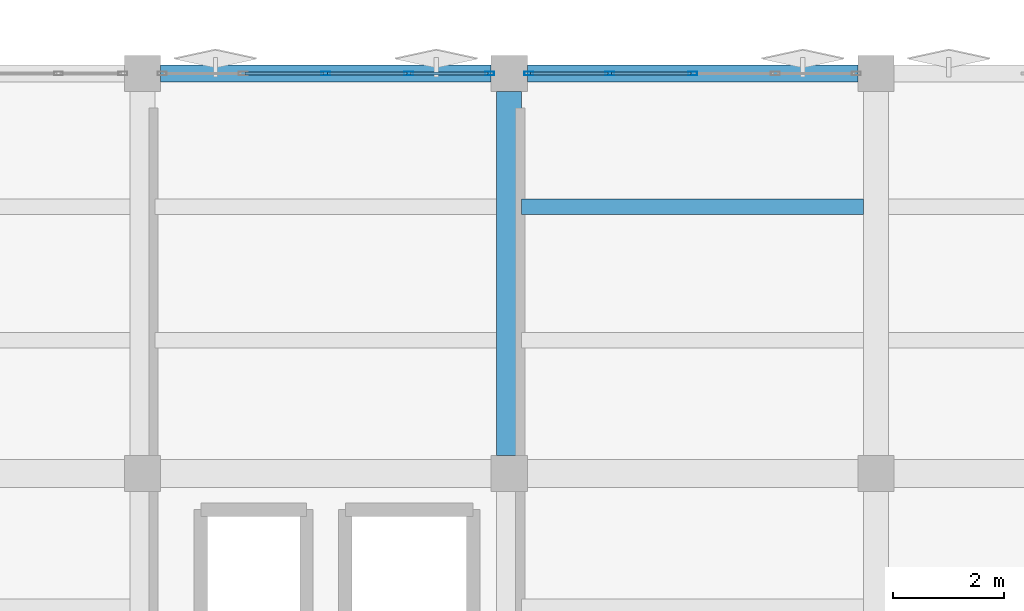
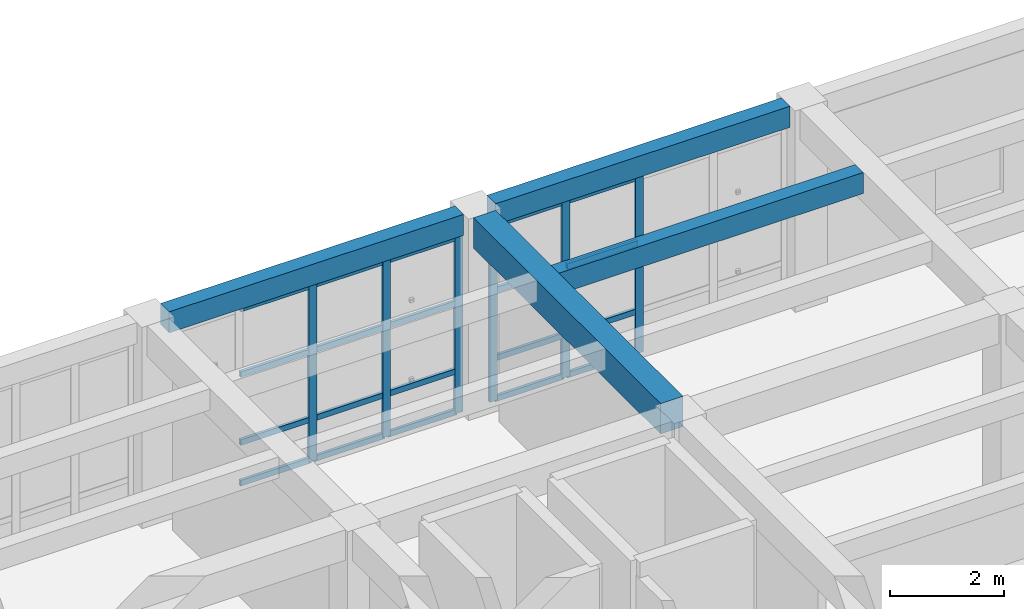
# One storey, part 38 of 67: 26 members, 4 beams, 2 elements without a shape of their own.
"""IFC4 building model written with IfcOpenShell, lengths in metres."""

from ifc_helpers import new_model, si_unit, direction, frame, origin, origin_2d, place, context, subcontext, project, spatial, rectangle, hollow_rectangle, extrude, material, layer, layer_set, material_profile, profile_set, type_object, element, aggregate, save


model = new_model("IFC4")

# Units and contexts
model_context = context("Model", 3, precision=1e-05, world=origin(), true_north=direction((0.0, 1.0)))
body_context = subcontext(model_context, "Body", "Model", "MODEL_VIEW")
ifc_project = project(units=[si_unit("LENGTHUNIT", "METRE"), si_unit("AREAUNIT", "SQUARE_METRE"), si_unit("VOLUMEUNIT", "CUBIC_METRE"), si_unit("PLANEANGLEUNIT", "RADIAN"), si_unit("MASSUNIT", "GRAM", prefix="KILO")], contexts=[model_context])

# Site, building, storey
site_placement = place(None, origin())
site = spatial("IfcSite", under=ifc_project, at=site_placement, CompositionType="ELEMENT")
building_placement = place(site_placement, origin())
building = spatial("IfcBuilding", under=site, at=building_placement, Name="Kharisveld Research Institute", CompositionType="ELEMENT")
storey_placement = place(building_placement, frame((0.0, 0.0, 9.60009765625)))
storey = spatial("IfcBuildingStorey", under=building, at=storey_placement, Name="L02", CompositionType="ELEMENT", Elevation=9.60009765625)

# Beam
ifc_material_1 = material(Name="Concrete C40/50", Category="concrete")
ifc_material_profile_1 = material_profile(ifc_material_1, rectangle(XDim=0.449951171875, YDim=0.64990234375, at=origin_2d()))
ifc_profile_set_1 = profile_set([ifc_material_profile_1], Name="Concrete C40/50")
beam_type_1 = type_object("IfcBeamType", Name="BM_RC_450x650", PredefinedType="BEAM", material=ifc_profile_set_1)
beam_1_placement = place(storey_placement, frame((141.0, 53.925048828125, 3.974853515625), z_axis=(0.0, 1.0, 0.0), x_axis=(-1.0, 0.0, 0.0)))
element("IfcBeam", 1, at=beam_1_placement, inside=storey, type_object=beam_type_1, Name="BM:V2:L02:V4_2", PredefinedType="BEAM", context=body_context, shape_type="SweptSolid", body=[
    extrude(rectangle(XDim=0.449951171875, YDim=0.64990234375, at=origin_2d()), origin(), (0.0, 0.0, 1.0), 6.550048828125),
])

# Curtain wall, members
ifc_material_2 = material(Name="Thermally Broken Aluminium Curtain Wall", Category="aluminium")
ifc_layer_1 = layer(ifc_material_2, 0.159912109375)
ifc_layer_set_1 = layer_set([ifc_layer_1], Name="CW_SYS_02")
curtain_wall_type_1 = type_object("IfcCurtainWallType", Name="CW_SYS_02", PredefinedType="NOTDEFINED", material=ifc_layer_set_1)
curtain_wall_1_placement = place(storey_placement, origin())
curtain_wall_1 = element("IfcCurtainWall", 2, at=curtain_wall_1_placement, inside=storey, type_object=curtain_wall_type_1, Name="CW:V2:L02:N3", PredefinedType="NOTDEFINED")
ifc_material_3 = material(Name="Anodised Aluminium AW-6063-T6", Category="aluminium")
ifc_material_profile_2 = material_profile(ifc_material_3, hollow_rectangle(XDim=0.06494140625, YDim=0.159912109375, WallThickness=0.00390625, at=origin_2d()))
ifc_profile_set_2 = profile_set([ifc_material_profile_2], Name="Anodised Aluminium AW-6063-T6")
member_type_1 = type_object("IfcMemberType", Name="CW_MUL_160", PredefinedType="MULLION", material=ifc_profile_set_2)
member_1_placement = place(storey_placement, frame((137.699951171875, 60.800048828125, 0.0), z_axis=(0.0, 0.0, 1.0), x_axis=(0.0, 1.0, 0.0)))
member_1 = element("IfcMember", 3, at=member_1_placement, type_object=member_type_1, Name="CW-02 mullion 3", PredefinedType="MULLION", context=body_context, shape_type="SweptSolid", body=[
    extrude(hollow_rectangle(XDim=0.06494140625, YDim=0.159912109375, WallThickness=0.00390625, at=origin_2d()), origin(), (0.0, 0.0, 1.0), 3.77978515625),
])
member_2_placement = place(storey_placement, frame((139.18994140625, 60.800048828125, 0.0), z_axis=(0.0, 0.0, 1.0), x_axis=(0.0, 1.0, 0.0)))
member_2 = element("IfcMember", 4, at=member_2_placement, type_object=member_type_1, Name="CW-02 mullion 4", PredefinedType="MULLION", context=body_context, shape_type="SweptSolid", body=[
    extrude(hollow_rectangle(XDim=0.06494140625, YDim=0.159912109375, WallThickness=0.00390625, at=origin_2d()), origin(), (0.0, 0.0, 1.0), 3.77978515625),
])
member_3_placement = place(storey_placement, frame((140.6474609375, 60.800048828125, 0.0), z_axis=(0.0, 0.0, 1.0), x_axis=(0.0, 1.0, 0.0)))
member_3 = element("IfcMember", 5, at=member_3_placement, type_object=member_type_1, Name="CW-02 mullion 5", PredefinedType="MULLION", context=body_context, shape_type="SweptSolid", body=[
    extrude(hollow_rectangle(XDim=0.06494140625, YDim=0.159912109375, WallThickness=0.00390625, at=origin_2d()), origin(), (0.0, 0.0, 1.0), 3.77978515625),
])

ifc_material_4 = material(Name="Thermally Broken Aluminium Curtain Wall", Category="aluminium")
ifc_layer_2 = layer(ifc_material_4, 0.159912109375)
ifc_layer_set_2 = layer_set([ifc_layer_2], Name="CW_SYS_03")
curtain_wall_type_2 = type_object("IfcCurtainWallType", Name="CW_SYS_03", PredefinedType="NOTDEFINED", material=ifc_layer_set_2)
curtain_wall_2_placement = place(storey_placement, origin())
curtain_wall_2 = element("IfcCurtainWall", 6, at=curtain_wall_2_placement, inside=storey, type_object=curtain_wall_type_2, Name="CW:V2:L02:N4", PredefinedType="NOTDEFINED")
member_4_placement = place(storey_placement, frame((141.3525390625, 60.800048828125, 0.0), z_axis=(0.0, 0.0, 1.0), x_axis=(0.0, 1.0, 0.0)))
member_4 = element("IfcMember", 7, at=member_4_placement, type_object=member_type_1, Name="CW-03 mullion 1", PredefinedType="MULLION", context=body_context, shape_type="SweptSolid", body=[
    extrude(hollow_rectangle(XDim=0.06494140625, YDim=0.159912109375, WallThickness=0.00390625, at=origin_2d()), origin(), (0.0, 0.0, 1.0), 3.77978515625),
])
member_5_placement = place(storey_placement, frame((142.81005859375, 60.800048828125, 0.0), z_axis=(0.0, 0.0, 1.0), x_axis=(0.0, 1.0, 0.0)))
member_5 = element("IfcMember", 8, at=member_5_placement, type_object=member_type_1, Name="CW-03 mullion 2", PredefinedType="MULLION", context=body_context, shape_type="SweptSolid", body=[
    extrude(hollow_rectangle(XDim=0.06494140625, YDim=0.159912109375, WallThickness=0.00390625, at=origin_2d()), origin(), (0.0, 0.0, 1.0), 3.77978515625),
])
member_6_placement = place(storey_placement, frame((144.300048828125, 60.800048828125, 0.0), z_axis=(0.0, 0.0, 1.0), x_axis=(0.0, 1.0, 0.0)))
member_6 = element("IfcMember", 9, at=member_6_placement, type_object=member_type_1, Name="CW-03 mullion 3", PredefinedType="MULLION", context=body_context, shape_type="SweptSolid", body=[
    extrude(hollow_rectangle(XDim=0.06494140625, YDim=0.159912109375, WallThickness=0.00390625, at=origin_2d()), origin(), (0.0, 0.0, 1.0), 3.77978515625),
])

# Member
ifc_material_5 = material(Name="Anodised Aluminium AW-6063-T6", Category="aluminium")
ifc_material_profile_3 = material_profile(ifc_material_5, hollow_rectangle(XDim=0.06005859375, YDim=0.1201171875, WallThickness=0.00390625, at=origin_2d()))
ifc_profile_set_3 = profile_set([ifc_material_profile_3], Name="Anodised Aluminium AW-6063-T6")
member_type_2 = type_object("IfcMemberType", Name="CW_TRN_120", PredefinedType="USERDEFINED", material=ifc_profile_set_3)
member_7_placement = place(storey_placement, frame((136.242431640625, 60.800048828125, 0.02978515625), z_axis=(1.0, 0.0, 0.0), x_axis=(0.0, 1.0, 0.0)))
member_7 = element("IfcMember", 10, at=member_7_placement, type_object=member_type_2, Name="CW-02 transom 2.1", ObjectType="TRANSOM", PredefinedType="USERDEFINED", context=body_context, shape_type="SweptSolid", body=[
    extrude(hollow_rectangle(XDim=0.06005859375, YDim=0.1201171875, WallThickness=0.00390625, at=origin_2d()), origin(), (0.0, 0.0, 1.0), 1.425048828125),
])

member_8_placement = place(storey_placement, frame((136.242431640625, 60.800048828125, 0.89990234375), z_axis=(1.0, 0.0, 0.0), x_axis=(0.0, 1.0, 0.0)))
member_8 = element("IfcMember", 11, at=member_8_placement, type_object=member_type_2, Name="CW-02 transom 2.2", ObjectType="TRANSOM", PredefinedType="USERDEFINED", context=body_context, shape_type="SweptSolid", body=[
    extrude(hollow_rectangle(XDim=0.06005859375, YDim=0.1201171875, WallThickness=0.00390625, at=origin_2d()), origin(), (0.0, 0.0, 1.0), 1.425048828125),
])

member_9_placement = place(storey_placement, frame((136.242431640625, 60.800048828125, 2.349853515625), z_axis=(1.0, 0.0, 0.0), x_axis=(0.0, 1.0, 0.0)))
member_9 = element("IfcMember", 12, at=member_9_placement, type_object=member_type_2, Name="CW-02 transom 2.3", ObjectType="TRANSOM", PredefinedType="USERDEFINED", context=body_context, shape_type="SweptSolid", body=[
    extrude(hollow_rectangle(XDim=0.06005859375, YDim=0.1201171875, WallThickness=0.00390625, at=origin_2d()), origin(), (0.0, 0.0, 1.0), 1.425048828125),
])

member_10_placement = place(storey_placement, frame((136.242431640625, 60.800048828125, 3.75), z_axis=(1.0, 0.0, 0.0), x_axis=(0.0, 1.0, 0.0)))
member_10 = element("IfcMember", 13, at=member_10_placement, type_object=member_type_2, Name="CW-02 transom 2.4", ObjectType="TRANSOM", PredefinedType="USERDEFINED", context=body_context, shape_type="SweptSolid", body=[
    extrude(hollow_rectangle(XDim=0.06005859375, YDim=0.1201171875, WallThickness=0.00390625, at=origin_2d()), origin(), (0.0, 0.0, 1.0), 1.425048828125),
])

member_11_placement = place(storey_placement, frame((137.732421875, 60.800048828125, 0.02978515625), z_axis=(1.0, 0.0, 0.0), x_axis=(0.0, 1.0, 0.0)))
member_11 = element("IfcMember", 14, at=member_11_placement, type_object=member_type_2, Name="CW-02 transom 3.1", ObjectType="TRANSOM", PredefinedType="USERDEFINED", context=body_context, shape_type="SweptSolid", body=[
    extrude(hollow_rectangle(XDim=0.06005859375, YDim=0.1201171875, WallThickness=0.00390625, at=origin_2d()), origin(), (0.0, 0.0, 1.0), 1.425048828125),
])

member_12_placement = place(storey_placement, frame((137.732421875, 60.800048828125, 0.89990234375), z_axis=(1.0, 0.0, 0.0), x_axis=(0.0, 1.0, 0.0)))
member_12 = element("IfcMember", 15, at=member_12_placement, type_object=member_type_2, Name="CW-02 transom 3.2", ObjectType="TRANSOM", PredefinedType="USERDEFINED", context=body_context, shape_type="SweptSolid", body=[
    extrude(hollow_rectangle(XDim=0.06005859375, YDim=0.1201171875, WallThickness=0.00390625, at=origin_2d()), origin(), (0.0, 0.0, 1.0), 1.425048828125),
])

member_13_placement = place(storey_placement, frame((137.732421875, 60.800048828125, 2.349853515625), z_axis=(1.0, 0.0, 0.0), x_axis=(0.0, 1.0, 0.0)))
member_13 = element("IfcMember", 16, at=member_13_placement, type_object=member_type_2, Name="CW-02 transom 3.3", ObjectType="TRANSOM", PredefinedType="USERDEFINED", context=body_context, shape_type="SweptSolid", body=[
    extrude(hollow_rectangle(XDim=0.06005859375, YDim=0.1201171875, WallThickness=0.00390625, at=origin_2d()), origin(), (0.0, 0.0, 1.0), 1.425048828125),
])

member_14_placement = place(storey_placement, frame((137.732421875, 60.800048828125, 3.75), z_axis=(1.0, 0.0, 0.0), x_axis=(0.0, 1.0, 0.0)))
member_14 = element("IfcMember", 17, at=member_14_placement, type_object=member_type_2, Name="CW-02 transom 3.4", ObjectType="TRANSOM", PredefinedType="USERDEFINED", context=body_context, shape_type="SweptSolid", body=[
    extrude(hollow_rectangle(XDim=0.06005859375, YDim=0.1201171875, WallThickness=0.00390625, at=origin_2d()), origin(), (0.0, 0.0, 1.0), 1.425048828125),
])

member_15_placement = place(storey_placement, frame((139.222412109375, 60.800048828125, 0.02978515625), z_axis=(1.0, 0.0, 0.0), x_axis=(0.0, 1.0, 0.0)))
member_15 = element("IfcMember", 18, at=member_15_placement, type_object=member_type_2, Name="CW-02 transom 4.1", ObjectType="TRANSOM", PredefinedType="USERDEFINED", context=body_context, shape_type="SweptSolid", body=[
    extrude(hollow_rectangle(XDim=0.06005859375, YDim=0.1201171875, WallThickness=0.00390625, at=origin_2d()), origin(), (0.0, 0.0, 1.0), 1.392578125),
])

member_16_placement = place(storey_placement, frame((139.222412109375, 60.800048828125, 0.89990234375), z_axis=(1.0, 0.0, 0.0), x_axis=(0.0, 1.0, 0.0)))
member_16 = element("IfcMember", 19, at=member_16_placement, type_object=member_type_2, Name="CW-02 transom 4.2", ObjectType="TRANSOM", PredefinedType="USERDEFINED", context=body_context, shape_type="SweptSolid", body=[
    extrude(hollow_rectangle(XDim=0.06005859375, YDim=0.1201171875, WallThickness=0.00390625, at=origin_2d()), origin(), (0.0, 0.0, 1.0), 1.392578125),
])

member_17_placement = place(storey_placement, frame((139.222412109375, 60.800048828125, 2.349853515625), z_axis=(1.0, 0.0, 0.0), x_axis=(0.0, 1.0, 0.0)))
member_17 = element("IfcMember", 20, at=member_17_placement, type_object=member_type_2, Name="CW-02 transom 4.3", ObjectType="TRANSOM", PredefinedType="USERDEFINED", context=body_context, shape_type="SweptSolid", body=[
    extrude(hollow_rectangle(XDim=0.06005859375, YDim=0.1201171875, WallThickness=0.00390625, at=origin_2d()), origin(), (0.0, 0.0, 1.0), 1.392578125),
])

member_18_placement = place(storey_placement, frame((139.222412109375, 60.800048828125, 3.75), z_axis=(1.0, 0.0, 0.0), x_axis=(0.0, 1.0, 0.0)))
member_18 = element("IfcMember", 21, at=member_18_placement, type_object=member_type_2, Name="CW-02 transom 4.4", ObjectType="TRANSOM", PredefinedType="USERDEFINED", context=body_context, shape_type="SweptSolid", body=[
    extrude(hollow_rectangle(XDim=0.06005859375, YDim=0.1201171875, WallThickness=0.00390625, at=origin_2d()), origin(), (0.0, 0.0, 1.0), 1.392578125),
])

aggregate(curtain_wall_1, [member_1, member_2, member_3, member_7, member_8, member_9, member_10, member_11, member_12, member_13, member_14, member_15, member_16, member_17, member_18])

member_19_placement = place(storey_placement, frame((141.385009765625, 60.800048828125, 0.02978515625), z_axis=(1.0, 0.0, 0.0), x_axis=(0.0, 1.0, 0.0)))
member_19 = element("IfcMember", 22, at=member_19_placement, type_object=member_type_2, Name="CW-03 transom 1.1", ObjectType="TRANSOM", PredefinedType="USERDEFINED", context=body_context, shape_type="SweptSolid", body=[
    extrude(hollow_rectangle(XDim=0.06005859375, YDim=0.1201171875, WallThickness=0.00390625, at=origin_2d()), origin(), (0.0, 0.0, 1.0), 1.392578125),
])

member_20_placement = place(storey_placement, frame((141.385009765625, 60.800048828125, 0.89990234375), z_axis=(1.0, 0.0, 0.0), x_axis=(0.0, 1.0, 0.0)))
member_20 = element("IfcMember", 23, at=member_20_placement, type_object=member_type_2, Name="CW-03 transom 1.2", ObjectType="TRANSOM", PredefinedType="USERDEFINED", context=body_context, shape_type="SweptSolid", body=[
    extrude(hollow_rectangle(XDim=0.06005859375, YDim=0.1201171875, WallThickness=0.00390625, at=origin_2d()), origin(), (0.0, 0.0, 1.0), 1.392578125),
])

member_21_placement = place(storey_placement, frame((141.385009765625, 60.800048828125, 2.349853515625), z_axis=(1.0, 0.0, 0.0), x_axis=(0.0, 1.0, 0.0)))
member_21 = element("IfcMember", 24, at=member_21_placement, type_object=member_type_2, Name="CW-03 transom 1.3", ObjectType="TRANSOM", PredefinedType="USERDEFINED", context=body_context, shape_type="SweptSolid", body=[
    extrude(hollow_rectangle(XDim=0.06005859375, YDim=0.1201171875, WallThickness=0.00390625, at=origin_2d()), origin(), (0.0, 0.0, 1.0), 1.392578125),
])

member_22_placement = place(storey_placement, frame((141.385009765625, 60.800048828125, 3.75), z_axis=(1.0, 0.0, 0.0), x_axis=(0.0, 1.0, 0.0)))
member_22 = element("IfcMember", 25, at=member_22_placement, type_object=member_type_2, Name="CW-03 transom 1.4", ObjectType="TRANSOM", PredefinedType="USERDEFINED", context=body_context, shape_type="SweptSolid", body=[
    extrude(hollow_rectangle(XDim=0.06005859375, YDim=0.1201171875, WallThickness=0.00390625, at=origin_2d()), origin(), (0.0, 0.0, 1.0), 1.392578125),
])

member_23_placement = place(storey_placement, frame((142.842529296875, 60.800048828125, 0.02978515625), z_axis=(1.0, 0.0, 0.0), x_axis=(0.0, 1.0, 0.0)))
member_23 = element("IfcMember", 26, at=member_23_placement, type_object=member_type_2, Name="CW-03 transom 2.1", ObjectType="TRANSOM", PredefinedType="USERDEFINED", context=body_context, shape_type="SweptSolid", body=[
    extrude(hollow_rectangle(XDim=0.06005859375, YDim=0.1201171875, WallThickness=0.00390625, at=origin_2d()), origin(), (0.0, 0.0, 1.0), 1.425048828125),
])

member_24_placement = place(storey_placement, frame((142.842529296875, 60.800048828125, 0.89990234375), z_axis=(1.0, 0.0, 0.0), x_axis=(0.0, 1.0, 0.0)))
member_24 = element("IfcMember", 27, at=member_24_placement, type_object=member_type_2, Name="CW-03 transom 2.2", ObjectType="TRANSOM", PredefinedType="USERDEFINED", context=body_context, shape_type="SweptSolid", body=[
    extrude(hollow_rectangle(XDim=0.06005859375, YDim=0.1201171875, WallThickness=0.00390625, at=origin_2d()), origin(), (0.0, 0.0, 1.0), 1.425048828125),
])

member_25_placement = place(storey_placement, frame((142.842529296875, 60.800048828125, 2.349853515625), z_axis=(1.0, 0.0, 0.0), x_axis=(0.0, 1.0, 0.0)))
member_25 = element("IfcMember", 28, at=member_25_placement, type_object=member_type_2, Name="CW-03 transom 2.3", ObjectType="TRANSOM", PredefinedType="USERDEFINED", context=body_context, shape_type="SweptSolid", body=[
    extrude(hollow_rectangle(XDim=0.06005859375, YDim=0.1201171875, WallThickness=0.00390625, at=origin_2d()), origin(), (0.0, 0.0, 1.0), 1.425048828125),
])

member_26_placement = place(storey_placement, frame((142.842529296875, 60.800048828125, 3.75), z_axis=(1.0, 0.0, 0.0), x_axis=(0.0, 1.0, 0.0)))
member_26 = element("IfcMember", 29, at=member_26_placement, type_object=member_type_2, Name="CW-03 transom 2.4", ObjectType="TRANSOM", PredefinedType="USERDEFINED", context=body_context, shape_type="SweptSolid", body=[
    extrude(hollow_rectangle(XDim=0.06005859375, YDim=0.1201171875, WallThickness=0.00390625, at=origin_2d()), origin(), (0.0, 0.0, 1.0), 1.425048828125),
])

aggregate(curtain_wall_2, [member_4, member_5, member_6, member_19, member_20, member_21, member_22, member_23, member_24, member_25, member_26])

# Beams
ifc_material_6 = material(Name="Concrete C40/50", Category="concrete")
ifc_material_profile_4 = material_profile(ifc_material_6, rectangle(XDim=0.300048828125, YDim=0.449951171875, at=origin_2d()))
ifc_profile_set_4 = profile_set([ifc_material_profile_4], Name="Concrete C40/50")
beam_type_2 = type_object("IfcBeamType", Name="SP_RC_300x450", PredefinedType="SPANDREL", material=ifc_profile_set_4)
for number, where, z_axis, x_axis, name in (
    (30, (134.72509765625, 60.800048828125, 4.074951171875), (1.0, 0.0, 0.0), (0.0, 1.0, 0.0), "BM:V2:L02:U3_3"),
    (31, (141.324951171875, 60.800048828125, 4.074951171875), (1.0, 0.0, 0.0), (0.0, 1.0, 0.0), "BM:V2:L02:U4_3"),
):
    element("IfcBeam", number, at=place(storey_placement, frame(where, z_axis=z_axis, x_axis=x_axis)), inside=storey, type_object=beam_type_2, Name=name, PredefinedType="SPANDREL", context=body_context, shape_type="SweptSolid", body=[
        extrude(rectangle(XDim=0.300048828125, YDim=0.449951171875, at=origin_2d()), origin(), (0.0, 0.0, 1.0), 5.949951171875),
    ])
ifc_material_7 = material(Name="Concrete C40/50", Category="concrete")
ifc_material_profile_5 = material_profile(ifc_material_7, rectangle(XDim=0.280029296875, YDim=0.449951171875, at=origin_2d()))
ifc_profile_set_5 = profile_set([ifc_material_profile_5], Name="Concrete C40/50")
beam_type_3 = type_object("IfcBeamType", Name="WB_RC_280x450", PredefinedType="JOIST", material=ifc_profile_set_5)
beam_2_placement = place(storey_placement, frame((141.22509765625, 58.39990234375, 4.074951171875), z_axis=(1.0, 0.0, 0.0), x_axis=(0.0, 1.0, 0.0)))
element("IfcBeam", 32, at=beam_2_placement, inside=storey, type_object=beam_type_3, Name="BM:V2:L02:J_4_2_R2", PredefinedType="JOIST", context=body_context, shape_type="SweptSolid", body=[
    extrude(rectangle(XDim=0.280029296875, YDim=0.449951171875, at=origin_2d()), origin(), (0.0, 0.0, 1.0), 6.14990234375),
])

save(model, "model.ifc")
